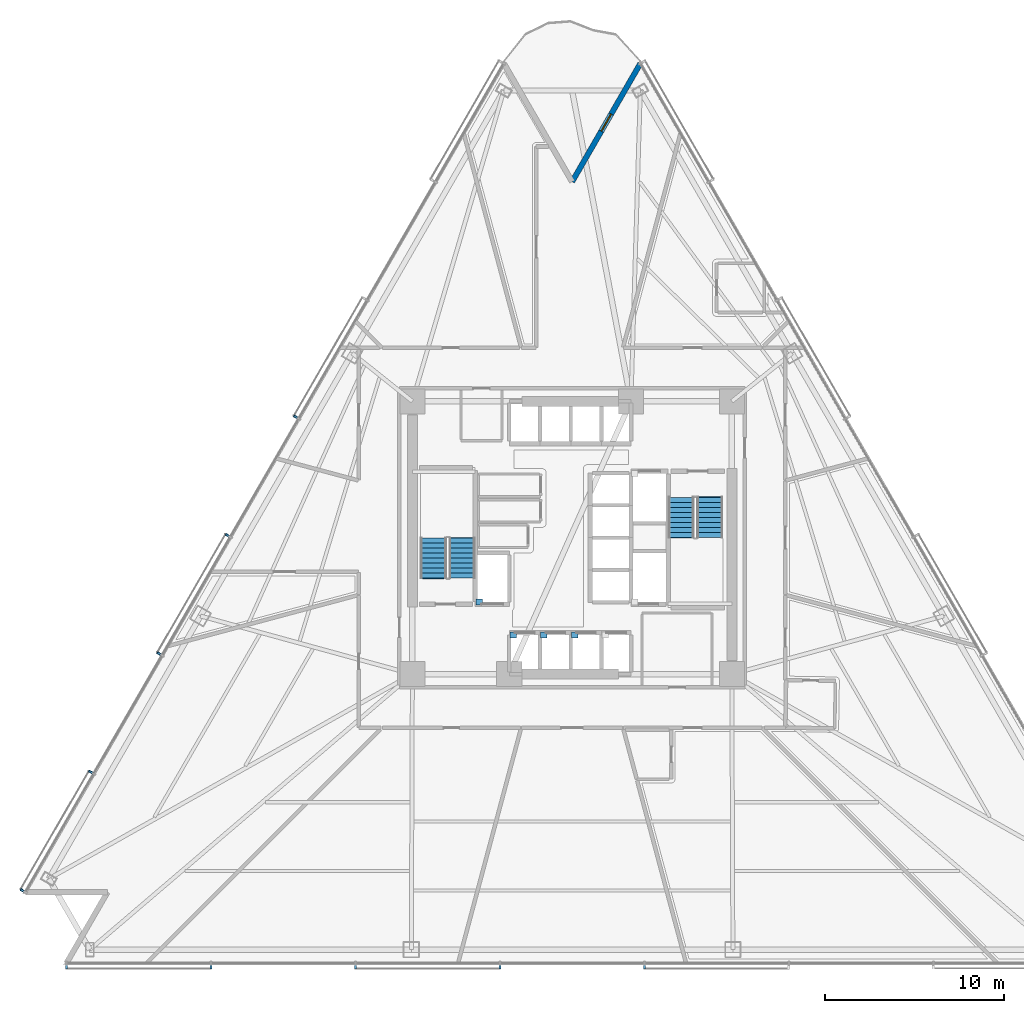
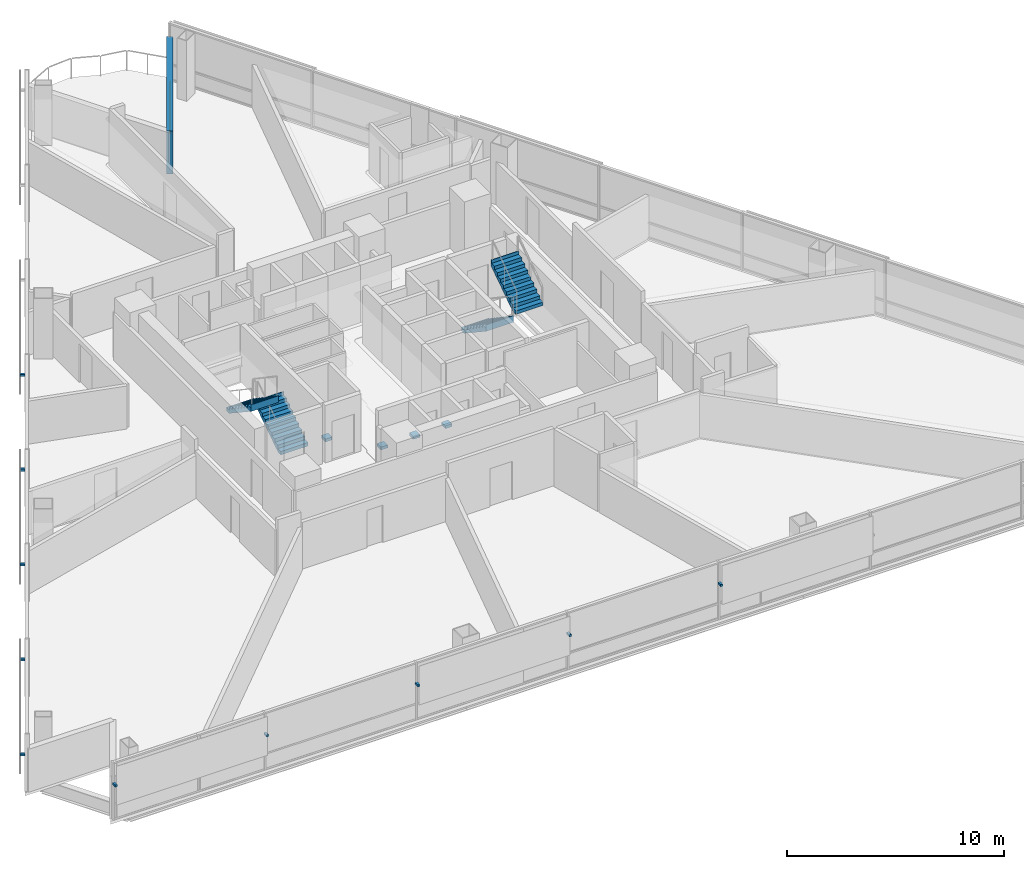
# One storey, part 10 of 16: 14 discrete accessories, 4 stair flights, 1 door, 1 wall, 1 opening, 2 elements without a shape of their own.
"""IFC4 building model written with IfcOpenShell, lengths in metres."""

from ifc_helpers import new_model, si_unit, direction, frame, frame_2d, origin, origin_2d, place, context, subcontext, project, spatial, polyline, rectangle, outline, extrude, material, layer, layer_set, type_object, element, fill, aggregate, save


model = new_model("IFC4")

# Units and contexts
model_context = context("Model", 3, precision=1e-05, world=origin(), true_north=direction((0.0, 1.0)))
body_context = subcontext(model_context, "Body", "Model", "MODEL_VIEW")
ifc_project = project(units=[si_unit("LENGTHUNIT", "METRE"), si_unit("AREAUNIT", "SQUARE_METRE"), si_unit("VOLUMEUNIT", "CUBIC_METRE"), si_unit("PLANEANGLEUNIT", "RADIAN"), si_unit("MASSUNIT", "GRAM", prefix="KILO")], contexts=[model_context])

# Site, building, storey
site_placement = place(None, origin())
site = spatial("IfcSite", under=ifc_project, at=site_placement, CompositionType="ELEMENT")
building_placement = place(site_placement, origin())
building = spatial("IfcBuilding", under=site, at=building_placement, Name="Tharavind Bronze Gate", CompositionType="ELEMENT")
storey_placement = place(building_placement, frame((0.0, 0.0, 48.85009765625)))
storey = spatial("IfcBuildingStorey", under=building, at=storey_placement, Name="L11", CompositionType="ELEMENT", Elevation=48.85009765625)

# Wall, opening, door
ifc_material_1 = material(Name="Concrete C40/50", Category="concrete")
ifc_layer = layer(ifc_material_1, 0.300048828125)
ifc_layer_set = layer_set([ifc_layer], Name="Concrete C40/50")
wall_type = type_object("IfcWallType", Name="EXTERIOR SPANDREL WALL 300", PredefinedType="STANDARD", material=ifc_layer_set)
wall_placement = place(storey_placement, frame((3.800048828125, 26.418212890625, 0.0), z_axis=(0.0, 0.0, 1.0), x_axis=(-0.500005158081, -0.866022425744, 0.0)))
wall = element("IfcWall", 1, at=wall_placement, inside=storey, type_object=wall_type, Name="L11 notch cheek wall 1A", PredefinedType="STANDARD", context=body_context, shape_type="SweptSolid", body=[
    extrude(rectangle(XDim=7.60009765625, YDim=0.300048828125, at=frame_2d((3.800048828125, 0.0))), origin(), (0.0, 0.0, 1.0), 2.419921875),
])
opening_placement = place(wall_placement, frame((3.25, 0.0, 0.0)))
opening = element("IfcOpeningElement", 2, at=opening_placement, cuts=wall, Name="Opening ED04", PredefinedType="OPENING", context=body_context, shape_type="SweptSolid", body=[
    extrude(rectangle(XDim=1.10009765625, YDim=2.199951171875, at=frame_2d((0.550048828125, 1.10009765625))), frame((0.0, 0.15990234375, 0.0), z_axis=(0.0, -1.0, 0.0), x_axis=(1.0, 0.0, 0.0)), (0.0, 0.0, 1.0), 0.320048828125),
])
ifc_material_2 = material(Name="Bronze Aluminium & Toughened Glass", Category="aluminium")
door_type = type_object("IfcDoorType", Name="TREE BALCONY ACCESS DOOR 1100X2200", OperationType="SINGLE_SWING_LEFT", PredefinedType="DOOR", material=ifc_material_2)
door_placement = place(opening_placement, frame((1.10009765625, 0.0, 0.0), z_axis=(0.0, 0.0, 1.0), x_axis=(-1.0, 0.0, 0.0)))
door = element("IfcDoor", 3, at=door_placement, inside=storey, type_object=door_type, Name="L11 tree balcony access door", OperationType="SINGLE_SWING_LEFT", OverallHeight=2.199951171875, OverallWidth=1.10009765625, PredefinedType="DOOR", context=body_context, shape_type="SweptSolid", body=[
    extrude(rectangle(XDim=1.10009765625, YDim=2.199951171875, at=frame_2d((0.550048828125, 1.10009765625))), frame((0.0, 0.02490234375, 0.0), z_axis=(0.0, -1.0, 0.0), x_axis=(1.0, 0.0, 0.0)), (0.0, 0.0, 1.0), 0.050048828125),
])
fill(opening, door)

# Stair, stair flights
stair_type = type_object("IfcStairType", Name="CORE HALF TURN STAIR 1450", PredefinedType="HALF_TURN_STAIR", material=ifc_material_1)
stair_1_placement = place(storey_placement, origin())
stair_1 = element("IfcStair", 4, at=stair_1_placement, inside=storey, type_object=stair_type, Name="L11 Protected Exit Stair ST1", PredefinedType="HALF_TURN_STAIR")
stair_flight_type = type_object("IfcStairFlightType", Name="CORE STAIR FLIGHT 1450", PredefinedType="STRAIGHT", material=ifc_material_1)
stair_flight_1_placement = place(storey_placement, frame((-6.125, -2.25, 0.0), z_axis=(0.0, 0.0, 1.0), x_axis=(0.0, 1.0, 0.0)))
stair_flight_1 = element("IfcStairFlight", 5, at=stair_flight_1_placement, type_object=stair_flight_type, Name="ST1 flight 1", NumberOfRisers=9, NumberOfTreads=8, PredefinedType="STRAIGHT", RiserHeight=0.188888889, TreadLength=0.28, context=body_context, shape_type="SweptSolid", body=[
    extrude(outline(polyline([(0.0, 0.0), (0.0, 0.18896484375), (0.280029296875, 0.18896484375), (0.280029296875, 0.377685546875), (0.56005859375, 0.377685546875), (0.56005859375, 0.566650390625), (0.840087890625, 0.566650390625), (0.840087890625, 0.755615234375), (1.1201171875, 0.755615234375), (1.1201171875, 0.9443359375), (1.39990234375, 0.9443359375), (1.39990234375, 1.13330078125), (1.679931640625, 1.13330078125), (1.679931640625, 1.322265625), (1.9599609375, 1.322265625), (1.9599609375, 1.51123046875), (2.239990234375, 1.51123046875), (2.239990234375, 1.699951171875), (2.27587890625, 1.699951171875), (2.27587890625, 1.330322265625), (0.26806640625, 0.0), (0.0, 0.0)])), frame((0.0, 0.72509765625, 0.0), z_axis=(0.0, -1.0, 0.0), x_axis=(1.0, 0.0, 0.0)), (0.0, 0.0, 1.0), 1.449951171875),
])
stair_flight_2_placement = place(storey_placement, frame((-7.72509765625, -0.010009765625, 1.699951171875), z_axis=(0.0, 0.0, 1.0), x_axis=(0.0, -1.0, 0.0)))
stair_flight_2 = element("IfcStairFlight", 6, at=stair_flight_2_placement, type_object=stair_flight_type, Name="ST1 flight 2", NumberOfRisers=9, NumberOfTreads=8, PredefinedType="STRAIGHT", RiserHeight=0.188888889, TreadLength=0.28, context=body_context, shape_type="SweptSolid", body=[
    extrude(outline(polyline([(0.0, 0.0), (0.0, 0.18896484375), (0.280029296875, 0.18896484375), (0.280029296875, 0.377685546875), (0.56005859375, 0.377685546875), (0.56005859375, 0.566650390625), (0.840087890625, 0.566650390625), (0.840087890625, 0.755615234375), (1.1201171875, 0.755615234375), (1.1201171875, 0.9443359375), (1.39990234375, 0.9443359375), (1.39990234375, 1.13330078125), (1.679931640625, 1.13330078125), (1.679931640625, 1.322265625), (1.9599609375, 1.322265625), (1.9599609375, 1.51123046875), (2.239990234375, 1.51123046875), (2.239990234375, 1.699951171875), (2.27587890625, 1.699951171875), (2.27587890625, 1.330322265625), (0.26806640625, 0.0), (0.0, 0.0)])), frame((0.0, 0.72509765625, 0.0), z_axis=(0.0, -1.0, 0.0), x_axis=(1.0, 0.0, 0.0)), (0.0, 0.0, 1.0), 1.449951171875),
])
aggregate(stair_1, [stair_flight_1, stair_flight_2])

stair_2_placement = place(storey_placement, origin())
stair_2 = element("IfcStair", 7, at=stair_2_placement, inside=storey, type_object=stair_type, Name="L11 Protected Exit Stair ST2", PredefinedType="HALF_TURN_STAIR")
stair_flight_3_placement = place(storey_placement, frame((6.074951171875, 2.25, 0.0), z_axis=(0.0, 0.0, 1.0), x_axis=(0.0, -1.0, 0.0)))
stair_flight_3 = element("IfcStairFlight", 8, at=stair_flight_3_placement, type_object=stair_flight_type, Name="ST2 flight 1", NumberOfRisers=9, NumberOfTreads=8, PredefinedType="STRAIGHT", RiserHeight=0.188888889, TreadLength=0.28, context=body_context, shape_type="SweptSolid", body=[
    extrude(outline(polyline([(0.0, 0.0), (0.0, 0.18896484375), (0.280029296875, 0.18896484375), (0.280029296875, 0.377685546875), (0.56005859375, 0.377685546875), (0.56005859375, 0.566650390625), (0.840087890625, 0.566650390625), (0.840087890625, 0.755615234375), (1.1201171875, 0.755615234375), (1.1201171875, 0.9443359375), (1.39990234375, 0.9443359375), (1.39990234375, 1.13330078125), (1.679931640625, 1.13330078125), (1.679931640625, 1.322265625), (1.9599609375, 1.322265625), (1.9599609375, 1.51123046875), (2.239990234375, 1.51123046875), (2.239990234375, 1.699951171875), (2.27587890625, 1.699951171875), (2.27587890625, 1.330322265625), (0.26806640625, 0.0), (0.0, 0.0)])), frame((0.0, 0.72509765625, 0.0), z_axis=(0.0, -1.0, 0.0), x_axis=(1.0, 0.0, 0.0)), (0.0, 0.0, 1.0), 1.449951171875),
])
stair_flight_4_placement = place(storey_placement, frame((7.675048828125, 0.010009765625, 1.699951171875), z_axis=(0.0, 0.0, 1.0), x_axis=(0.0, 1.0, 0.0)))
stair_flight_4 = element("IfcStairFlight", 9, at=stair_flight_4_placement, type_object=stair_flight_type, Name="ST2 flight 2", NumberOfRisers=9, NumberOfTreads=8, PredefinedType="STRAIGHT", RiserHeight=0.188888889, TreadLength=0.28, context=body_context, shape_type="SweptSolid", body=[
    extrude(outline(polyline([(0.0, 0.0), (0.0, 0.18896484375), (0.280029296875, 0.18896484375), (0.280029296875, 0.377685546875), (0.56005859375, 0.377685546875), (0.56005859375, 0.566650390625), (0.840087890625, 0.566650390625), (0.840087890625, 0.755615234375), (1.1201171875, 0.755615234375), (1.1201171875, 0.9443359375), (1.39990234375, 0.9443359375), (1.39990234375, 1.13330078125), (1.679931640625, 1.13330078125), (1.679931640625, 1.322265625), (1.9599609375, 1.322265625), (1.9599609375, 1.51123046875), (2.239990234375, 1.51123046875), (2.239990234375, 1.699951171875), (2.27587890625, 1.699951171875), (2.27587890625, 1.330322265625), (0.26806640625, 0.0), (0.0, 0.0)])), frame((0.0, 0.72509765625, 0.0), z_axis=(0.0, -1.0, 0.0), x_axis=(1.0, 0.0, 0.0)), (0.0, 0.0, 1.0), 1.449951171875),
])
aggregate(stair_2, [stair_flight_3, stair_flight_4])

# Discrete accessories
ifc_material_3 = material(Name="Galvanised Steel S355", Category="steel")
discrete_accessory_type_1 = type_object("IfcDiscreteAccessoryType", Name="LIFT GUIDE RAIL BRACKET", PredefinedType="BRACKET", material=ifc_material_3)
for number, where, z_axis, x_axis, name in (
    (10, (-3.280029296875, -5.419921875, 1.1201171875), (0.0, 0.0, 1.0), (1.0, 0.0, 0.0), "Lift PL1 guide rail bracket at L11"),
    (11, (-1.5673828125, -5.419921875, 1.1201171875), (0.0, 0.0, 1.0), (1.0, 0.0, 0.0), "Lift PL2 guide rail bracket at L11"),
    (12, (0.14501953125, -5.419921875, 1.1201171875), (0.0, 0.0, 1.0), (1.0, 0.0, 0.0), "Lift PL3 guide rail bracket at L11"),
    (13, (-5.179931640625, -3.580078125, 1.1201171875), (0.0, 0.0, 1.0), (1.0, 0.0, 0.0), "Lift FFL1 guide rail bracket at L11"),
):
    element("IfcDiscreteAccessory", number, at=place(storey_placement, frame(where, z_axis=z_axis, x_axis=x_axis)), inside=storey, type_object=discrete_accessory_type_1, Name=name, PredefinedType="BRACKET", context=body_context, shape_type="SweptSolid", body=[
        extrude(rectangle(XDim=0.360107421875, YDim=0.360107421875, at=origin_2d()), origin(), (0.0, 0.0, 1.0), 0.159912109375),
    ])
ifc_material_4 = material(Name="Stainless Steel 316", Category="steel")
discrete_accessory_type_2 = type_object("IfcDiscreteAccessoryType", Name="SOLAR SCREEN STANDOFF BRACKET", PredefinedType="BRACKET", material=ifc_material_4)
for number, where, z_axis, x_axis, name in (
    (14, (-15.397216796875, 6.7314453125, 2.00244140625), (0.0, 0.0, 1.0), (-0.500001511499, -0.866024531118, 0.0), "CW-L11-S1 solar screen bracket 3.2"),
    (15, (-19.205078125, 0.135986328125, 2.00244140625), (0.0, 0.0, 1.0), (-0.500001511499, -0.866024531118, 0.0), "CW-L11-S1 solar screen bracket 5.1"),
    (16, (-23.01318359375, -6.459716796875, 2.00244140625), (0.0, 0.0, 1.0), (-0.500001511499, -0.866024531118, 0.0), "CW-L11-S1 solar screen bracket 5.2"),
    (17, (-26.821044921875, -13.055419921875, 2.00244140625), (0.0, 0.0, 1.0), (-0.500001511499, -0.866024531118, 0.0), "CW-L11-S1 solar screen bracket 7.1"),
    (18, (-30.62890625, -19.65087890625, 2.00244140625), (0.0, 0.0, 1.0), (-0.500001511499, -0.866024531118, 0.0), "CW-L11-S1 solar screen bracket 7.2"),
    (19, (-28.17578125, -23.89990234375, 2.00244140625), (0.0, 0.0, 1.0), (1.0, 0.0, 0.0), "CW-L11-S2 solar screen bracket 1.1"),
    (20, (-20.12548828125, -23.89990234375, 2.00244140625), (0.0, 0.0, 1.0), (1.0, 0.0, 0.0), "CW-L11-S2 solar screen bracket 1.2"),
    (21, (-12.0751953125, -23.89990234375, 2.00244140625), (0.0, 0.0, 1.0), (1.0, 0.0, 0.0), "CW-L11-S2 solar screen bracket 3.1"),
    (22, (-4.025146484375, -23.89990234375, 2.00244140625), (0.0, 0.0, 1.0), (1.0, 0.0, 0.0), "CW-L11-S2 solar screen bracket 3.2"),
    (23, (4.025146484375, -23.89990234375, 2.00244140625), (0.0, 0.0, 1.0), (1.0, 0.0, 0.0), "CW-L11-S2 solar screen bracket 5.1"),
):
    element("IfcDiscreteAccessory", number, at=place(storey_placement, frame(where, z_axis=z_axis, x_axis=x_axis)), inside=storey, type_object=discrete_accessory_type_2, Name=name, PredefinedType="BRACKET", context=body_context, shape_type="SweptSolid", body=[
        extrude(rectangle(XDim=0.1201171875, YDim=0.239990234375, at=origin_2d()), origin(), (0.0, 0.0, 1.0), 0.1201171875),
    ])

save(model, "model.ifc")
